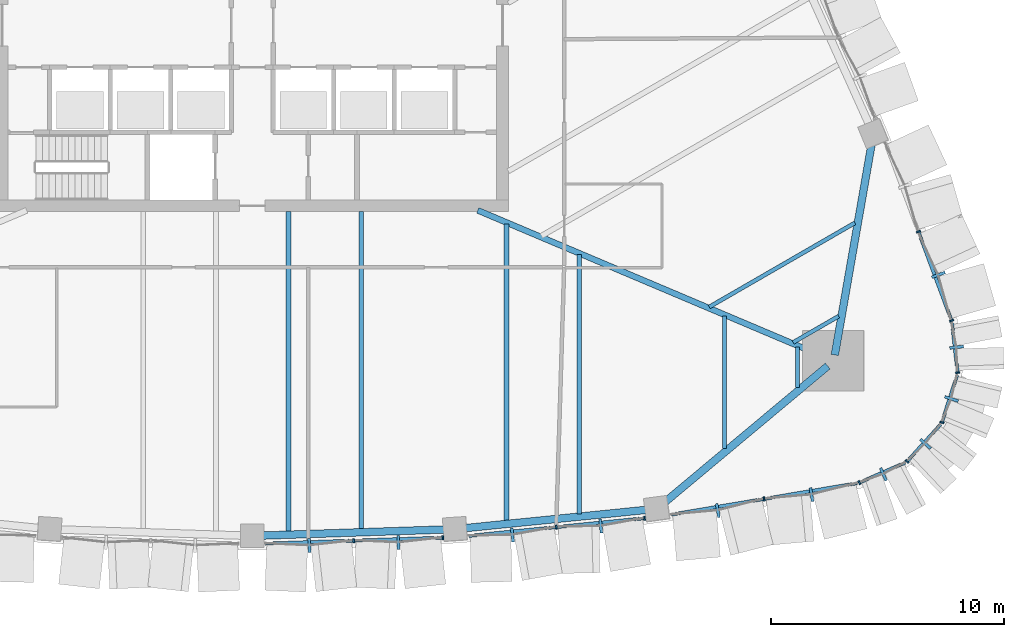
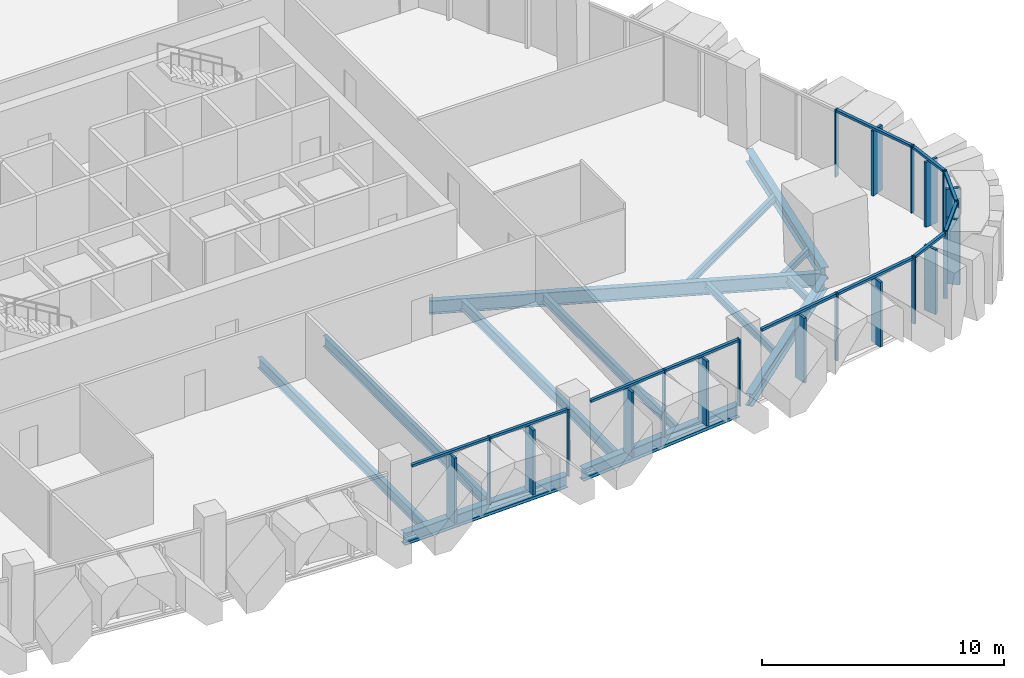
# One storey, part 4 of 18: 33 members, 13 beams, 8 elements without a shape of their own.
"""IFC4 building model written with IfcOpenShell, lengths in metres."""

import ifcopenshell
import ifcopenshell.guid

model = None  # the IFC model being written
_history = None  # IfcOwnerHistory: only IFC2X3 demands one
_inside = {}  # id of a spatial element -> (the spatial element, [elements in it])
_under = {}  # id of a project, library or spatial element -> (it, [spatial elements below it])
_declared = {}  # id of a project -> (the project, [libraries it declares])
_typed = {}  # id of a type object -> (the type object, [elements of that type])
_made_of = {}  # id of a material, layer set ... -> (it, [elements and type objects made of it])


def new_model(schema):
    """Start an empty IFC model of exactly this schema.

    Asked for "IFC4X3", IfcOpenShell would pick the latest addendum, in which some entities
    have other attributes; the version numbers below select the first issue.
    IFC2X3 requires an IfcOwnerHistory on every rooted entity: one is made here for all.
    """
    global model, _history
    if schema == "IFC4X3":
        model = ifcopenshell.file(schema_version=(4, 3, 0, 0))
    else:
        model = ifcopenshell.file(schema=schema)
    _inside.clear()
    _under.clear()
    _declared.clear()
    _typed.clear()
    _made_of.clear()
    _history = None
    if model.schema == "IFC2X3":
        org = make("IfcOrganization", Name="unknown")
        user = make(
            "IfcPersonAndOrganization",
            ThePerson=make("IfcPerson", FamilyName="unknown"),
            TheOrganization=org,
        )
        app = make(
            "IfcApplication",
            ApplicationDeveloper=org,
            Version="unknown",
            ApplicationFullName="unknown",
            ApplicationIdentifier="unknown",
        )
        _history = make(
            "IfcOwnerHistory",
            OwningUser=user,
            OwningApplication=app,
            ChangeAction="ADDED",
            CreationDate=0,
        )
    return model


def make(cls, **values):
    """One entity of the class cls with the attributes given. An attribute that is None is left unset."""
    return model.create_entity(
        cls, **{name: value for name, value in values.items() if value is not None}
    )


def rooted(cls, **values):
    """An entity with a GlobalId (a new one), such as an element, a storey or a relation."""
    return make(cls, GlobalId=ifcopenshell.guid.new(), OwnerHistory=_history, **values)


def si_unit(unit_type, name, prefix=None):
    """IfcSIUnit, for example si_unit("LENGTHUNIT", "METRE", prefix="MILLI")."""
    return make("IfcSIUnit", UnitType=unit_type, Prefix=prefix, Name=name)


def assignment(units):
    """IfcUnitAssignment: the units of a project."""
    return None if units is None else make("IfcUnitAssignment", Units=units)


def point(xyz):
    """IfcCartesianPoint."""
    return None if xyz is None else make("IfcCartesianPoint", Coordinates=xyz)


def direction(xyz):
    """IfcDirection."""
    return None if xyz is None else make("IfcDirection", DirectionRatios=xyz)


def frame(location, z_axis=None, x_axis=None):
    """IfcAxis2Placement3D, a coordinate frame: its origin and axes. An axis left out is left unset."""
    return make(
        "IfcAxis2Placement3D",
        Location=point(location),
        Axis=direction(z_axis),
        RefDirection=direction(x_axis),
    )


def frame_2d(location, x_axis=None):
    """IfcAxis2Placement2D, a coordinate frame in the plane: its origin and x axis."""
    return make(
        "IfcAxis2Placement2D", Location=point(location), RefDirection=direction(x_axis)
    )


def origin():
    """The frame at (0, 0, 0) with its axes left unset."""
    return frame((0.0, 0.0, 0.0))


def origin_2d():
    """The frame at (0, 0) in the plane with its x axis left unset."""
    return frame_2d((0.0, 0.0))


def place(relative_to, where):
    """IfcLocalPlacement: puts the frame where relative to a parent placement (None: the world)."""
    return make(
        "IfcLocalPlacement", PlacementRelTo=relative_to, RelativePlacement=where
    )


def context(
    kind, dimensions, precision=None, world=None, true_north=None, identifier=None
):
    """IfcGeometricRepresentationContext, for example the 3D "Model" context."""
    return make(
        "IfcGeometricRepresentationContext",
        ContextIdentifier=identifier,
        ContextType=kind,
        CoordinateSpaceDimension=dimensions,
        Precision=precision,
        WorldCoordinateSystem=world,
        TrueNorth=true_north,
    )


def subcontext(parent, identifier, kind, view, scale=None):
    """IfcGeometricRepresentationSubContext, for example "Body" below "Model"."""
    return make(
        "IfcGeometricRepresentationSubContext",
        ContextIdentifier=identifier,
        ContextType=kind,
        ParentContext=parent,
        TargetScale=scale,
        TargetView=view,
    )


def project(units=None, contexts=None):
    """IfcProject with its units and contexts."""
    return rooted(
        "IfcProject",
        Name="project",
        RepresentationContexts=contexts,
        UnitsInContext=assignment(units),
    )


def spatial(cls, under=None, at=None, **own):
    """A site, building, storey or space (cls), placed at a placement, below another one or the project."""
    s = rooted(cls, ObjectPlacement=at, **own)
    if under is not None:
        _under.setdefault(under.id(), (under, []))[1].append(s)
    return s


def profile(cls, at=None, kind="AREA", **sizes):
    """A parametric profile (cls). Its sizes go by their IFC names, for example OverallWidth=200.0."""
    return make(cls, ProfileType=kind, Position=at, **sizes)


def rectangle(**sizes):
    """IfcRectangleProfileDef."""
    return profile("IfcRectangleProfileDef", **sizes)


def i_section(**sizes):
    """IfcIShapeProfileDef."""
    return profile("IfcIShapeProfileDef", **sizes)


def extrude(swept, where, along, depth):
    """IfcExtrudedAreaSolid: the profile swept, set in the frame where, extruded along a direction by depth."""
    return make(
        "IfcExtrudedAreaSolid",
        SweptArea=swept,
        Position=where,
        ExtrudedDirection=direction(along),
        Depth=depth,
    )


def shape(context_of_items, identifier, shape_type, items):
    """IfcShapeRepresentation: the items that make up one representation, for example the "Body"."""
    return make(
        "IfcShapeRepresentation",
        ContextOfItems=context_of_items,
        RepresentationIdentifier=identifier,
        RepresentationType=shape_type,
        Items=items,
    )


def material(Name=None, Category=None):
    """IfcMaterial."""
    return make("IfcMaterial", Name=Name, Category=Category)


def layer(
    of_material, thickness, ventilated=None, Name=None, Category=None, Priority=None
):
    """IfcMaterialLayer: one layer of a wall or slab, of a material (None: an air gap)."""
    return make(
        "IfcMaterialLayer",
        Material=of_material,
        LayerThickness=thickness,
        IsVentilated=ventilated,
        Name=Name,
        Category=Category,
        Priority=Priority,
    )


def layer_set(layers, Name=None):
    """IfcMaterialLayerSet."""
    return make("IfcMaterialLayerSet", MaterialLayers=layers, LayerSetName=Name)


def material_profile(
    of_material, cross_section, Name=None, Category=None, Priority=None
):
    """IfcMaterialProfile: a cross section and its material."""
    return make(
        "IfcMaterialProfile",
        Name=Name,
        Material=of_material,
        Profile=cross_section,
        Priority=Priority,
        Category=Category,
    )


def profile_set(profiles, Name=None, composite=None):
    """IfcMaterialProfileSet."""
    return make(
        "IfcMaterialProfileSet",
        Name=Name,
        MaterialProfiles=profiles,
        CompositeProfile=composite,
    )


def made_of(thing, what):
    """Note that an element or type object is made of a material, layer set ...; save() writes the relation."""
    if what is not None:
        _made_of.setdefault(what.id(), (what, []))[1].append(thing)
    return thing


def type_object(cls, material=None, **own):
    """A type object (cls), such as IfcWallType, which elements share."""
    return made_of(rooted(cls, **own), material)


def element(
    cls,
    number,
    at=None,
    inside=None,
    cuts=None,
    type_object=None,
    material=None,
    context=None,
    identifier="Body",
    shape_type=None,
    held_by="IfcProductDefinitionShape",
    body=None,
    shapes=None,
    **own,
):
    """One element of the class cls, such as IfcWall. Its Tag is "e" and its number.

    at: its placement. inside: the storey or other place that contains it. cuts: it is an
    opening in that element (IfcRelVoidsElement). A single representation is given by context,
    identifier, shape_type and body (its items); several are given by shapes. held_by: the class
    of the entity that holds the representations. save() writes the other relations.
    """
    e = rooted(cls, Tag="e%d" % number, ObjectPlacement=at, **own)
    if body is not None:
        shapes = [shape(context, identifier, shape_type, body)]
    if shapes is not None:
        e.Representation = make(held_by, Representations=shapes)
    if inside is not None:
        _inside.setdefault(inside.id(), (inside, []))[1].append(e)
    if cuts is not None:
        rooted(
            "IfcRelVoidsElement", RelatingBuildingElement=cuts, RelatedOpeningElement=e
        )
    if type_object is not None:
        _typed.setdefault(type_object.id(), (type_object, []))[1].append(e)
    return made_of(e, material)


def aggregate(whole, parts):
    """IfcRelAggregates: a whole, such as a stair, and the parts it consists of."""
    return rooted("IfcRelAggregates", RelatingObject=whole, RelatedObjects=parts)


def save(model, path):
    """Write the relations noted so far, then the file.

    IfcRelAggregates (storeys below a building ...), IfcRelContainedInSpatialStructure (elements
    in a storey), IfcRelDefinesByType, IfcRelAssociatesMaterial and IfcRelDeclares: one each for
    every whole, place, type object, material and project.
    """
    for whole, parts in _under.values():
        aggregate(whole, parts)
    for where, things in _inside.values():
        rooted(
            "IfcRelContainedInSpatialStructure",
            RelatedElements=things,
            RelatingStructure=where,
        )
    for kind, things in _typed.values():
        rooted("IfcRelDefinesByType", RelatedObjects=things, RelatingType=kind)
    for what, things in _made_of.values():
        rooted("IfcRelAssociatesMaterial", RelatedObjects=things, RelatingMaterial=what)
    for by, libraries in _declared.values():
        rooted("IfcRelDeclares", RelatingContext=by, RelatedDefinitions=libraries)
    model.write(path)


model = new_model("IFC4")

# Units and contexts
model_context = context("Model", 3, precision=1e-05, world=origin(), true_north=direction((0.0, 1.0)))
body_context = subcontext(model_context, "Body", "Model", "MODEL_VIEW")
ifc_project = project(units=[si_unit("LENGTHUNIT", "METRE"), si_unit("AREAUNIT", "SQUARE_METRE"), si_unit("VOLUMEUNIT", "CUBIC_METRE"), si_unit("PLANEANGLEUNIT", "RADIAN"), si_unit("MASSUNIT", "GRAM", prefix="KILO")], contexts=[model_context])

# Site, building, storey
site_placement = place(None, origin())
site = spatial("IfcSite", under=ifc_project, at=site_placement, CompositionType="ELEMENT")
building_placement = place(site_placement, origin())
building = spatial("IfcBuilding", under=site, at=building_placement, Name="Sierra Prisma Convention Tower", CompositionType="ELEMENT")
storey_placement = place(building_placement, frame((0.0, 0.0, 129.800048828125)))
storey = spatial("IfcBuildingStorey", under=building, at=storey_placement, Name="L27", CompositionType="ELEMENT", Elevation=129.800048828125)

# Curtain wall, members
ifc_material_1 = material(Name="Aluminium and glass curtain wall", Category="aluminium")
ifc_layer = layer(ifc_material_1, 0.179931640625)
ifc_layer_set = layer_set([ifc_layer], Name="CW-2 Faceted crystal curtain wall")
curtain_wall_type = type_object("IfcCurtainWallType", Name="CW-2 Faceted crystal curtain wall", PredefinedType="NOTDEFINED", material=ifc_layer_set)
curtain_wall_1_placement = place(storey_placement, origin())
curtain_wall_1 = element("IfcCurtainWall", 1, at=curtain_wall_1_placement, inside=storey, type_object=curtain_wall_type, Name="CW-2 S4 L27", PredefinedType="NOTDEFINED")
ifc_material_2 = material(Name="Aluminium 6063-T6 bronze anodised", Category="aluminium")
ifc_material_profile_1 = material_profile(ifc_material_2, rectangle(XDim=0.1201171875, YDim=0.60009765625, at=origin_2d()), Name="ALU RIDGE BLADE 120x600")
ifc_profile_set_1 = profile_set([ifc_material_profile_1], Name="Aluminium 6063-T6 bronze anodised")
member_type_1 = type_object("IfcMemberType", Name="CW hip bronze", PredefinedType="MULLION", material=ifc_profile_set_1)
member_1_placement = place(storey_placement, frame((2.452880859375, -22.35595703125, 0.0), z_axis=(0.0, 0.0, 1.0), x_axis=(0.999440414047, 0.03344934632, 0.0)))
member_1 = element("IfcMember", 2, at=member_1_placement, type_object=member_type_1, Name="CW-2 ridge S4.1", PredefinedType="MULLION", context=body_context, shape_type="SweptSolid", body=[
    extrude(rectangle(XDim=0.1201171875, YDim=0.60009765625, at=origin_2d()), origin(), (0.0, 0.0, 1.0), 3.280029296875),
])
member_2_placement = place(storey_placement, frame((6.279541015625, -22.227783203125, 0.0), z_axis=(0.0, 0.0, 1.0), x_axis=(0.999440414047, 0.03344934632, 0.0)))
member_2 = element("IfcMember", 3, at=member_2_placement, type_object=member_type_1, Name="CW-2 ridge S4.2", PredefinedType="MULLION", context=body_context, shape_type="SweptSolid", body=[
    extrude(rectangle(XDim=0.1201171875, YDim=0.60009765625, at=origin_2d()), origin(), (0.0, 0.0, 1.0), 3.280029296875),
])

curtain_wall_2_placement = place(storey_placement, origin())
curtain_wall_2 = element("IfcCurtainWall", 4, at=curtain_wall_2_placement, inside=storey, type_object=curtain_wall_type, Name="CW-2 S5 L27", PredefinedType="NOTDEFINED")
member_3_placement = place(storey_placement, frame((11.17919921875, -21.899658203125, 0.0), z_axis=(0.0, 0.0, 1.0), x_axis=(0.994967483363, 0.100198338565, 0.0)))
member_3 = element("IfcMember", 5, at=member_3_placement, type_object=member_type_1, Name="CW-2 ridge S5.1", PredefinedType="MULLION", context=body_context, shape_type="SweptSolid", body=[
    extrude(rectangle(XDim=0.1201171875, YDim=0.60009765625, at=origin_2d()), origin(), (0.0, 0.0, 1.0), 3.280029296875),
])
member_4_placement = place(storey_placement, frame((14.97265625, -21.517578125, 0.0), z_axis=(0.0, 0.0, 1.0), x_axis=(0.994967483363, 0.100198338565, 0.0)))
member_4 = element("IfcMember", 6, at=member_4_placement, type_object=member_type_1, Name="CW-2 ridge S5.2", PredefinedType="MULLION", context=body_context, shape_type="SweptSolid", body=[
    extrude(rectangle(XDim=0.1201171875, YDim=0.60009765625, at=origin_2d()), origin(), (0.0, 0.0, 1.0), 3.280029296875),
])

curtain_wall_3_placement = place(storey_placement, origin())
curtain_wall_3 = element("IfcCurtainWall", 7, at=curtain_wall_3_placement, inside=storey, type_object=curtain_wall_type, Name="CW-2 S6 L27", PredefinedType="NOTDEFINED")
member_5_placement = place(storey_placement, frame((19.99951171875, -20.8486328125, 0.0), z_axis=(0.0, 0.0, 1.0), x_axis=(0.986041640305, 0.166498899652, 0.0)))
member_5 = element("IfcMember", 8, at=member_5_placement, type_object=member_type_1, Name="CW-2 ridge S6.1", PredefinedType="MULLION", context=body_context, shape_type="SweptSolid", body=[
    extrude(rectangle(XDim=0.1201171875, YDim=0.60009765625, at=origin_2d()), origin(), (0.0, 0.0, 1.0), 3.280029296875),
])
member_6_placement = place(storey_placement, frame((24.027587890625, -20.16845703125, 0.0), z_axis=(0.0, 0.0, 1.0), x_axis=(0.986041640305, 0.166498899652, 0.0)))
member_6 = element("IfcMember", 9, at=member_6_placement, type_object=member_type_1, Name="CW-2 ridge S6.2", PredefinedType="MULLION", context=body_context, shape_type="SweptSolid", body=[
    extrude(rectangle(XDim=0.1201171875, YDim=0.60009765625, at=origin_2d()), origin(), (0.0, 0.0, 1.0), 3.280029296875),
])

# Curtain wall, member
curtain_wall_4_placement = place(storey_placement, origin())
curtain_wall_4 = element("IfcCurtainWall", 10, at=curtain_wall_4_placement, inside=storey, type_object=curtain_wall_type, Name="CW-2 SE1 L27", PredefinedType="NOTDEFINED")
member_7_placement = place(storey_placement, frame((27.11279296875, -19.292236328125, 0.0), z_axis=(0.0, 0.0, 1.0), x_axis=(0.916181748048, 0.400763027915, 0.0)))
member_7 = element("IfcMember", 11, at=member_7_placement, type_object=member_type_1, Name="CW-2 ridge SE1.1", PredefinedType="MULLION", context=body_context, shape_type="SweptSolid", body=[
    extrude(rectangle(XDim=0.1201171875, YDim=0.60009765625, at=origin_2d()), origin(), (0.0, 0.0, 1.0), 3.280029296875),
])

curtain_wall_5_placement = place(storey_placement, origin())
curtain_wall_5 = element("IfcCurtainWall", 12, at=curtain_wall_5_placement, inside=storey, type_object=curtain_wall_type, Name="CW-2 SE2 L27", PredefinedType="NOTDEFINED")
member_8_placement = place(storey_placement, frame((28.92431640625, -17.988037109375, 0.0), z_axis=(0.0, 0.0, 1.0), x_axis=(0.670746472758, 0.741686705613, 0.0)))
member_8 = element("IfcMember", 13, at=member_8_placement, type_object=member_type_1, Name="CW-2 ridge SE2.1", PredefinedType="MULLION", context=body_context, shape_type="SweptSolid", body=[
    extrude(rectangle(XDim=0.1201171875, YDim=0.60009765625, at=origin_2d()), origin(), (0.0, 0.0, 1.0), 3.280029296875),
])

curtain_wall_6_placement = place(storey_placement, origin())
curtain_wall_6 = element("IfcCurtainWall", 14, at=curtain_wall_6_placement, inside=storey, type_object=curtain_wall_type, Name="CW-2 SE3 L27", PredefinedType="NOTDEFINED")
member_9_placement = place(storey_placement, frame((30.040283203125, -16.054931640625, 0.0), z_axis=(0.0, 0.0, 1.0), x_axis=(0.306946292331, 0.951726837714, 0.0)))
member_9 = element("IfcMember", 15, at=member_9_placement, type_object=member_type_1, Name="CW-2 ridge SE3.1", PredefinedType="MULLION", context=body_context, shape_type="SweptSolid", body=[
    extrude(rectangle(XDim=0.1201171875, YDim=0.60009765625, at=origin_2d()), origin(), (0.0, 0.0, 1.0), 3.280029296875),
])

curtain_wall_7_placement = place(storey_placement, origin())
curtain_wall_7 = element("IfcCurtainWall", 16, at=curtain_wall_7_placement, inside=storey, type_object=curtain_wall_type, Name="CW-2 SE4 L27", PredefinedType="NOTDEFINED")
member_10_placement = place(storey_placement, frame((30.263916015625, -13.834228515625, 0.0), z_axis=(0.0, 0.0, 1.0), x_axis=(-0.111019910952, 0.993818182251, 0.0)))
member_10 = element("IfcMember", 17, at=member_10_placement, type_object=member_type_1, Name="CW-2 ridge SE4.1", PredefinedType="MULLION", context=body_context, shape_type="SweptSolid", body=[
    extrude(rectangle(XDim=0.1201171875, YDim=0.60009765625, at=origin_2d()), origin(), (0.0, 0.0, 1.0), 3.280029296875),
])

curtain_wall_8_placement = place(storey_placement, origin())
curtain_wall_8 = element("IfcCurtainWall", 18, at=curtain_wall_8_placement, inside=storey, type_object=curtain_wall_type, Name="CW-2 NE1 L27", PredefinedType="NOTDEFINED")
member_11_placement = place(storey_placement, frame((29.480224609375, -10.724365234375, 0.0), z_axis=(0.0, 0.0, 1.0), x_axis=(-0.348828543352, 0.937186559519, 0.0)))
member_11 = element("IfcMember", 19, at=member_11_placement, type_object=member_type_1, Name="CW-2 ridge NE1.1", PredefinedType="MULLION", context=body_context, shape_type="SweptSolid", body=[
    extrude(rectangle(XDim=0.1201171875, YDim=0.60009765625, at=origin_2d()), origin(), (0.0, 0.0, 1.0), 3.280029296875),
])

# Member
ifc_material_3 = material(Name="Aluminium 6063-T6 bronze anodised", Category="aluminium")
ifc_material_profile_2 = material_profile(ifc_material_3, rectangle(XDim=0.179931640625, YDim=0.070068359375, at=origin_2d()), Name="ALU MULLION 70x180")
ifc_profile_set_2 = profile_set([ifc_material_profile_2], Name="Aluminium 6063-T6 bronze anodised")
member_type_2 = type_object("IfcMemberType", Name="CW mullion bronze", PredefinedType="MULLION", material=ifc_profile_set_2)
member_12_placement = place(storey_placement, frame((4.361328125, -22.14404296875, 0.0), z_axis=(0.0, 0.0, 1.0), x_axis=(-0.03344934632, 0.999440414047, 0.0)))
member_12 = element("IfcMember", 20, at=member_12_placement, type_object=member_type_2, Name="CW-1 mullion S4.2", PredefinedType="MULLION", context=body_context, shape_type="SweptSolid", body=[
    extrude(rectangle(XDim=0.179931640625, YDim=0.070068359375, at=origin_2d()), origin(), (0.0, 0.0, 1.0), 3.39990234375),
])

member_13_placement = place(storey_placement, frame((8.18798828125, -22.015869140625, 0.0), z_axis=(0.0, 0.0, 1.0), x_axis=(-0.03344934632, 0.999440414047, 0.0)))
member_13 = element("IfcMember", 21, at=member_13_placement, type_object=member_type_2, Name="CW-1 mullion S4.3", PredefinedType="MULLION", context=body_context, shape_type="SweptSolid", body=[
    extrude(rectangle(XDim=0.179931640625, YDim=0.070068359375, at=origin_2d()), origin(), (0.0, 0.0, 1.0), 3.39990234375),
])

member_14_placement = place(storey_placement, frame((13.061279296875, -21.56201171875, 0.0), z_axis=(0.0, 0.0, 1.0), x_axis=(-0.100198338565, 0.994967483363, 0.0)))
member_14 = element("IfcMember", 22, at=member_14_placement, type_object=member_type_2, Name="CW-1 mullion S5.2", PredefinedType="MULLION", context=body_context, shape_type="SweptSolid", body=[
    extrude(rectangle(XDim=0.179931640625, YDim=0.070068359375, at=origin_2d()), origin(), (0.0, 0.0, 1.0), 3.39990234375),
])

member_15_placement = place(storey_placement, frame((16.854736328125, -21.179931640625, 0.0), z_axis=(0.0, 0.0, 1.0), x_axis=(-0.100198338565, 0.994967483363, 0.0)))
member_15 = element("IfcMember", 23, at=member_15_placement, type_object=member_type_2, Name="CW-1 mullion S5.3", PredefinedType="MULLION", context=body_context, shape_type="SweptSolid", body=[
    extrude(rectangle(XDim=0.179931640625, YDim=0.070068359375, at=origin_2d()), origin(), (0.0, 0.0, 1.0), 3.39990234375),
])

member_16_placement = place(storey_placement, frame((21.9873046875, -20.3525390625, 0.0), z_axis=(0.0, 0.0, 1.0), x_axis=(-0.166498899652, 0.986041640305, 0.0)))
member_16 = element("IfcMember", 24, at=member_16_placement, type_object=member_type_2, Name="CW-1 mullion S6.2", PredefinedType="MULLION", context=body_context, shape_type="SweptSolid", body=[
    extrude(rectangle(XDim=0.179931640625, YDim=0.070068359375, at=origin_2d()), origin(), (0.0, 0.0, 1.0), 3.39990234375),
])

member_17_placement = place(storey_placement, frame((26.08203125, -19.652587890625, 0.0), z_axis=(0.0, 0.0, 1.0), x_axis=(-0.400763027915, 0.916181748048, 0.0)))
member_17 = element("IfcMember", 25, at=member_17_placement, type_object=member_type_2, Name="CW-1 mullion SE1.1", PredefinedType="MULLION", context=body_context, shape_type="SweptSolid", body=[
    extrude(rectangle(XDim=0.179931640625, YDim=0.070068359375, at=origin_2d()), origin(), (0.0, 0.0, 1.0), 3.39990234375),
])

member_18_placement = place(storey_placement, frame((28.132568359375, -18.739990234375, 0.0), z_axis=(0.0, 0.0, 1.0), x_axis=(-0.741686705613, 0.670746472758, 0.0)))
member_18 = element("IfcMember", 26, at=member_18_placement, type_object=member_type_2, Name="CW-1 mullion SE2.1", PredefinedType="MULLION", context=body_context, shape_type="SweptSolid", body=[
    extrude(rectangle(XDim=0.179931640625, YDim=0.070068359375, at=origin_2d()), origin(), (0.0, 0.0, 1.0), 3.39990234375),
])

member_19_placement = place(storey_placement, frame((29.627197265625, -17.065673828125, 0.0), z_axis=(0.0, 0.0, 1.0), x_axis=(-0.951726837714, 0.306946292331, 0.0)))
member_19 = element("IfcMember", 27, at=member_19_placement, type_object=member_type_2, Name="CW-1 mullion SE3.1", PredefinedType="MULLION", context=body_context, shape_type="SweptSolid", body=[
    extrude(rectangle(XDim=0.179931640625, YDim=0.070068359375, at=origin_2d()), origin(), (0.0, 0.0, 1.0), 3.39990234375),
])

member_20_placement = place(storey_placement, frame((30.302490234375, -14.92529296875, 0.0), z_axis=(0.0, 0.0, 1.0), x_axis=(-0.993818182251, -0.111019910952, 0.0)))
member_20 = element("IfcMember", 28, at=member_20_placement, type_object=member_type_2, Name="CW-1 mullion SE4.1", PredefinedType="MULLION", context=body_context, shape_type="SweptSolid", body=[
    extrude(rectangle(XDim=0.179931640625, YDim=0.070068359375, at=origin_2d()), origin(), (0.0, 0.0, 1.0), 3.39990234375),
])

member_21_placement = place(storey_placement, frame((30.044677734375, -12.69384765625, 0.0), z_axis=(0.0, 0.0, 1.0), x_axis=(-0.937186559519, -0.348828543352, 0.0)))
member_21 = element("IfcMember", 29, at=member_21_placement, type_object=member_type_2, Name="CW-1 mullion NE1.1", PredefinedType="MULLION", context=body_context, shape_type="SweptSolid", body=[
    extrude(rectangle(XDim=0.179931640625, YDim=0.070068359375, at=origin_2d()), origin(), (0.0, 0.0, 1.0), 3.39990234375),
])

member_22_placement = place(storey_placement, frame((28.61962890625, -8.865234375, 0.0), z_axis=(0.0, 0.0, 1.0), x_axis=(-0.937186559519, -0.348828543352, 0.0)))
member_22 = element("IfcMember", 30, at=member_22_placement, type_object=member_type_2, Name="CW-1 mullion NE1.2", PredefinedType="MULLION", context=body_context, shape_type="SweptSolid", body=[
    extrude(rectangle(XDim=0.179931640625, YDim=0.070068359375, at=origin_2d()), origin(), (0.0, 0.0, 1.0), 3.39990234375),
])

ifc_material_4 = material(Name="Aluminium 6063-T6 bronze anodised", Category="aluminium")
ifc_material_profile_3 = material_profile(ifc_material_4, rectangle(XDim=0.139892578125, YDim=0.1201171875, at=origin_2d()), Name="ALU TRANSOM 120x140")
ifc_profile_set_3 = profile_set([ifc_material_profile_3], Name="Aluminium 6063-T6 bronze anodised")
member_type_3 = type_object("IfcMemberType", Name="CW transom bronze", PredefinedType="USERDEFINED", material=ifc_profile_set_3)
member_23_placement = place(storey_placement, frame((0.569580078125, -22.27099609375, 3.33984375), z_axis=(0.999440428664, 0.033448909589, 0.0), x_axis=(-0.033448909589, 0.999440428664, 0.0)))
member_23 = element("IfcMember", 31, at=member_23_placement, type_object=member_type_3, Name="CW-1 transom S4.1", ObjectType="TRANSOM", PredefinedType="USERDEFINED", context=body_context, shape_type="SweptSolid", body=[
    extrude(rectangle(XDim=0.139892578125, YDim=0.1201171875, at=origin_2d()), origin(), (0.0, 0.0, 1.0), 3.759033203125),
])

member_24_placement = place(storey_placement, frame((4.396240234375, -22.142822265625, 3.33984375), z_axis=(0.999440428664, 0.033448909589, 0.0), x_axis=(-0.033448909589, 0.999440428664, 0.0)))
member_24 = element("IfcMember", 32, at=member_24_placement, type_object=member_type_3, Name="CW-1 transom S4.2", ObjectType="TRANSOM", PredefinedType="USERDEFINED", context=body_context, shape_type="SweptSolid", body=[
    extrude(rectangle(XDim=0.139892578125, YDim=0.1201171875, at=origin_2d()), origin(), (0.0, 0.0, 1.0), 3.759033203125),
])

aggregate(curtain_wall_1, [member_12, member_13, member_23, member_1, member_24, member_2])

member_25_placement = place(storey_placement, frame((9.302490234375, -21.9404296875, 3.33984375), z_axis=(0.994967844169, 0.100194755697, 0.0), x_axis=(-0.100194755697, 0.994967844169, 0.0)))
member_25 = element("IfcMember", 33, at=member_25_placement, type_object=member_type_3, Name="CW-1 transom S5.1", ObjectType="TRANSOM", PredefinedType="USERDEFINED", context=body_context, shape_type="SweptSolid", body=[
    extrude(rectangle(XDim=0.139892578125, YDim=0.1201171875, at=origin_2d()), origin(), (0.0, 0.0, 1.0), 3.74267578125),
])

member_26_placement = place(storey_placement, frame((13.095947265625, -21.55859375, 3.33984375), z_axis=(0.994967844169, 0.100194755697, 0.0), x_axis=(-0.100194755697, 0.994967844169, 0.0)))
member_26 = element("IfcMember", 34, at=member_26_placement, type_object=member_type_3, Name="CW-1 transom S5.2", ObjectType="TRANSOM", PredefinedType="USERDEFINED", context=body_context, shape_type="SweptSolid", body=[
    extrude(rectangle(XDim=0.139892578125, YDim=0.1201171875, at=origin_2d()), origin(), (0.0, 0.0, 1.0), 3.74267578125),
])

aggregate(curtain_wall_2, [member_14, member_15, member_25, member_3, member_26, member_4])

member_27_placement = place(storey_placement, frame((17.99365234375, -21.027099609375, 3.33984375), z_axis=(0.986035004571, 0.166538193101, 0.0), x_axis=(-0.166538193101, 0.986035004571, 0.0)))
member_27 = element("IfcMember", 35, at=member_27_placement, type_object=member_type_3, Name="CW-1 transom S6.1", ObjectType="TRANSOM", PredefinedType="USERDEFINED", context=body_context, shape_type="SweptSolid", body=[
    extrude(rectangle(XDim=0.139892578125, YDim=0.1201171875, at=origin_2d()), origin(), (0.0, 0.0, 1.0), 4.015380859375),
])

member_28_placement = place(storey_placement, frame((22.021728515625, -20.346923828125, 3.33984375), z_axis=(0.986035004571, 0.166538193101, 0.0), x_axis=(-0.166538193101, 0.986035004571, 0.0)))
member_28 = element("IfcMember", 36, at=member_28_placement, type_object=member_type_3, Name="CW-1 transom S6.2", ObjectType="TRANSOM", PredefinedType="USERDEFINED", context=body_context, shape_type="SweptSolid", body=[
    extrude(rectangle(XDim=0.139892578125, YDim=0.1201171875, at=origin_2d()), origin(), (0.0, 0.0, 1.0), 4.015380859375),
])

aggregate(curtain_wall_3, [member_16, member_27, member_5, member_28, member_6])

member_29_placement = place(storey_placement, frame((26.114013671875, -19.638671875, 3.33984375), z_axis=(0.916165310474, 0.400800603647, 0.0), x_axis=(-0.400800603647, 0.916165310474, 0.0)))
member_29 = element("IfcMember", 37, at=member_29_placement, type_object=member_type_3, Name="CW-1 transom SE1.1", ObjectType="TRANSOM", PredefinedType="USERDEFINED", context=body_context, shape_type="SweptSolid", body=[
    extrude(rectangle(XDim=0.139892578125, YDim=0.1201171875, at=origin_2d()), origin(), (0.0, 0.0, 1.0), 2.107666015625),
])

aggregate(curtain_wall_4, [member_17, member_29, member_7])

member_30_placement = place(storey_placement, frame((28.156005859375, -18.714111328125, 3.33984375), z_axis=(0.670710074306, 0.741719621033, 0.0), x_axis=(-0.741719621033, 0.670710074306, 0.0)))
member_30 = element("IfcMember", 38, at=member_30_placement, type_object=member_type_3, Name="CW-1 transom SE2.1", ObjectType="TRANSOM", PredefinedType="USERDEFINED", context=body_context, shape_type="SweptSolid", body=[
    extrude(rectangle(XDim=0.139892578125, YDim=0.1201171875, at=origin_2d()), origin(), (0.0, 0.0, 1.0), 2.107666015625),
])

aggregate(curtain_wall_5, [member_18, member_30, member_8])

member_31_placement = place(storey_placement, frame((29.637939453125, -17.032470703125, 3.33984375), z_axis=(0.307002779923, 0.951708617761, 0.0), x_axis=(-0.951708617761, 0.307002779923, 0.0)))
member_31 = element("IfcMember", 39, at=member_31_placement, type_object=member_type_3, Name="CW-1 transom SE3.1", ObjectType="TRANSOM", PredefinedType="USERDEFINED", context=body_context, shape_type="SweptSolid", body=[
    extrude(rectangle(XDim=0.139892578125, YDim=0.1201171875, at=origin_2d()), origin(), (0.0, 0.0, 1.0), 2.107421875),
])

aggregate(curtain_wall_6, [member_19, member_31, member_9])

member_32_placement = place(storey_placement, frame((30.298583984375, -14.890625, 3.33984375), z_axis=(-0.111092649687, 0.993810053876, 0.0), x_axis=(-0.993810053876, -0.111092649687, 0.0)))
member_32 = element("IfcMember", 40, at=member_32_placement, type_object=member_type_3, Name="CW-1 transom SE4.1", ObjectType="TRANSOM", PredefinedType="USERDEFINED", context=body_context, shape_type="SweptSolid", body=[
    extrude(rectangle(XDim=0.139892578125, YDim=0.1201171875, at=origin_2d()), origin(), (0.0, 0.0, 1.0), 2.107421875),
])

aggregate(curtain_wall_7, [member_20, member_32, member_10])

member_33_placement = place(storey_placement, frame((30.032470703125, -12.660888671875, 3.33984375), z_axis=(-0.348836803557, 0.937183484961, 0.0), x_axis=(-0.937183484961, -0.348836803557, 0.0)))
member_33 = element("IfcMember", 41, at=member_33_placement, type_object=member_type_3, Name="CW-1 transom NE1.1", ObjectType="TRANSOM", PredefinedType="USERDEFINED", context=body_context, shape_type="SweptSolid", body=[
    extrude(rectangle(XDim=0.139892578125, YDim=0.1201171875, at=origin_2d()), origin(), (0.0, 0.0, 1.0), 4.01513671875),
])

aggregate(curtain_wall_8, [member_21, member_22, member_33, member_11])

# Beams
ifc_material_5 = material(Name="Steel ASTM A992 Gr 50", Category="steel")
ifc_material_profile_4 = material_profile(ifc_material_5, i_section(OverallWidth=0.172119140625, OverallDepth=0.35791015625, WebThickness=0.0078125, FlangeThickness=0.01318359375, at=origin_2d()), Name="W360x57")
ifc_profile_set_4 = profile_set([ifc_material_profile_4], Name="Steel ASTM A992 Gr 50")
beam_type_1 = type_object("IfcBeamType", Name="Floor joist W360x57", PredefinedType="JOIST", material=ifc_profile_set_4)
beam_1_placement = place(storey_placement, frame((20.298828125, -18.177734375, -0.3291015625), z_axis=(0.0, 1.0, 0.0), x_axis=(-1.0, 0.0, 0.0)))
element("IfcBeam", 42, at=beam_1_placement, inside=storey, type_object=beam_type_1, Name="Floor joist L27 S15", PredefinedType="JOIST", context=body_context, shape_type="SweptSolid", body=[
    extrude(i_section(OverallWidth=0.172119140625, OverallDepth=0.35791015625, WebThickness=0.0078125, FlangeThickness=0.01318359375, at=origin_2d()), origin(), (0.0, 0.0, 1.0), 5.680419921875),
])
beam_2_placement = place(storey_placement, frame((23.421875, -15.5673828125, -0.3291015625), z_axis=(0.0, 1.0, 0.0), x_axis=(-1.0, 0.0, 0.0)))
element("IfcBeam", 43, at=beam_2_placement, inside=storey, type_object=beam_type_1, Name="Floor joist L27 S16", PredefinedType="JOIST", context=body_context, shape_type="SweptSolid", body=[
    extrude(i_section(OverallWidth=0.172119140625, OverallDepth=0.35791015625, WebThickness=0.0078125, FlangeThickness=0.01318359375, at=origin_2d()), origin(), (0.0, 0.0, 1.0), 1.748779296875),
])
beam_3_placement = place(storey_placement, frame((25.192626953125, -12.500244140625, -0.3291015625), z_axis=(-0.866066817379, -0.499928262689, 0.0), x_axis=(0.499928262689, -0.866066817379, 0.0)))
element("IfcBeam", 44, at=beam_3_placement, inside=storey, type_object=beam_type_1, Name="Floor joist L27 NE01", PredefinedType="JOIST", context=body_context, shape_type="SweptSolid", body=[
    extrude(i_section(OverallWidth=0.172119140625, OverallDepth=0.35791015625, WebThickness=0.0078125, FlangeThickness=0.01318359375, at=origin_2d()), origin(), (0.0, 0.0, 1.0), 2.259033203125),
])
beam_4_placement = place(storey_placement, frame((25.891845703125, -8.490478515625, -0.3291015625), z_axis=(-0.866023038219, -0.500004097258, 0.0), x_axis=(0.500004097258, -0.866023038219, 0.0)))
element("IfcBeam", 45, at=beam_4_placement, inside=storey, type_object=beam_type_1, Name="Floor joist L27 NE02", PredefinedType="JOIST", context=body_context, shape_type="SweptSolid", body=[
    extrude(i_section(OverallWidth=0.172119140625, OverallDepth=0.35791015625, WebThickness=0.0078125, FlangeThickness=0.01318359375, at=origin_2d()), origin(), (0.0, 0.0, 1.0), 7.228515625),
])
ifc_material_6 = material(Name="Steel ASTM A992 Gr 50", Category="steel")
ifc_material_profile_5 = material_profile(ifc_material_6, i_section(OverallWidth=0.18994140625, OverallDepth=0.45703125, WebThickness=0.009033203125, FlangeThickness=0.014404296875, at=origin_2d()), Name="W460x74")
ifc_profile_set_5 = profile_set([ifc_material_profile_5], Name="Steel ASTM A992 Gr 50")
beam_type_2 = type_object("IfcBeamType", Name="Floor joist W460x74", PredefinedType="JOIST", material=ifc_profile_set_5)
beam_5_placement = place(storey_placement, frame((14.052978515625, -20.997314453125, -0.378662109375), z_axis=(0.0, 1.0, 0.0), x_axis=(-1.0, 0.0, 0.0)))
element("IfcBeam", 46, at=beam_5_placement, inside=storey, type_object=beam_type_2, Name="Floor joist L27 S13", PredefinedType="JOIST", context=body_context, shape_type="SweptSolid", body=[
    extrude(i_section(OverallWidth=0.18994140625, OverallDepth=0.45703125, WebThickness=0.009033203125, FlangeThickness=0.014404296875, at=origin_2d()), origin(), (0.0, 0.0, 1.0), 11.142578125),
])
ifc_material_7 = material(Name="Steel ASTM A992 Gr 50", Category="steel")
ifc_material_profile_6 = material_profile(ifc_material_7, i_section(OverallWidth=0.208984375, OverallDepth=0.532958984375, WebThickness=0.01025390625, FlangeThickness=0.015625, at=origin_2d()), Name="W530x92")
ifc_profile_set_6 = profile_set([ifc_material_profile_6], Name="Steel ASTM A992 Gr 50")
beam_type_3 = type_object("IfcBeamType", Name="Floor joist W530x92", PredefinedType="JOIST", material=ifc_profile_set_6)
beam_6_placement = place(storey_placement, frame((1.5615234375, -21.775146484375, -0.41650390625), z_axis=(0.0, 1.0, 0.0), x_axis=(-1.0, 0.0, 0.0)))
element("IfcBeam", 47, at=beam_6_placement, inside=storey, type_object=beam_type_3, Name="Floor joist L27 S09", PredefinedType="JOIST", context=body_context, shape_type="SweptSolid", body=[
    extrude(i_section(OverallWidth=0.208984375, OverallDepth=0.532958984375, WebThickness=0.01025390625, FlangeThickness=0.015625, at=origin_2d()), origin(), (0.0, 0.0, 1.0), 13.775146484375),
])
beam_7_placement = place(storey_placement, frame((4.684326171875, -21.670654296875, -0.41650390625), z_axis=(0.0, 1.0, 0.0), x_axis=(-1.0, 0.0, 0.0)))
element("IfcBeam", 48, at=beam_7_placement, inside=storey, type_object=beam_type_3, Name="Floor joist L27 S10", PredefinedType="JOIST", context=body_context, shape_type="SweptSolid", body=[
    extrude(i_section(OverallWidth=0.208984375, OverallDepth=0.532958984375, WebThickness=0.01025390625, FlangeThickness=0.015625, at=origin_2d()), origin(), (0.0, 0.0, 1.0), 13.670654296875),
])
beam_8_placement = place(storey_placement, frame((10.93017578125, -21.311767578125, -0.41650390625), z_axis=(0.0, 1.0, 0.0), x_axis=(-1.0, 0.0, 0.0)))
element("IfcBeam", 49, at=beam_8_placement, inside=storey, type_object=beam_type_3, Name="Floor joist L27 S12", PredefinedType="JOIST", context=body_context, shape_type="SweptSolid", body=[
    extrude(i_section(OverallWidth=0.208984375, OverallDepth=0.532958984375, WebThickness=0.01025390625, FlangeThickness=0.015625, at=origin_2d()), origin(), (0.0, 0.0, 1.0), 12.7783203125),
])
ifc_material_8 = material(Name="Steel ASTM A992 Gr 50", Category="steel")
ifc_material_profile_7 = material_profile(ifc_material_8, i_section(OverallWidth=0.25390625, OverallDepth=0.68408203125, WebThickness=0.012451171875, FlangeThickness=0.018798828125, at=origin_2d()), Name="W690x140")
ifc_profile_set_7 = profile_set([ifc_material_profile_7], Name="Steel ASTM A992 Gr 50")
beam_type_4 = type_object("IfcBeamType", Name="Radial girder W690x140", PredefinedType="BEAM", material=ifc_profile_set_7)
beam_9_placement = place(storey_placement, frame((24.72314453125, -14.31396484375, -0.491943359375), z_axis=(-0.920957755547, 0.389662434035, 0.0), x_axis=(-0.389662434035, -0.920957755547, 0.0)))
element("IfcBeam", 50, at=beam_9_placement, inside=storey, type_object=beam_type_4, Name="Radial girder L27 SE", PredefinedType="BEAM", context=body_context, shape_type="SweptSolid", body=[
    extrude(i_section(OverallWidth=0.25390625, OverallDepth=0.68408203125, WebThickness=0.012451171875, FlangeThickness=0.018798828125, at=origin_2d()), origin(), (0.0, 0.0, 1.0), 16.323974609375),
])
ifc_material_9 = material(Name="Steel ASTM A992 Gr 50", Category="steel")
ifc_material_profile_8 = material_profile(ifc_material_9, i_section(OverallWidth=0.324951171875, OverallDepth=0.615966796875, WebThickness=0.013916015625, FlangeThickness=0.021484375, at=origin_2d()), Name="W610x174")
ifc_profile_set_8 = profile_set([ifc_material_profile_8], Name="Steel ASTM A992 Gr 50")
beam_type_5 = type_object("IfcBeamType", Name="Spandrel beam W610x174", PredefinedType="BEAM", material=ifc_profile_set_8)
for number, where, z_axis, x_axis, name in (
    (51, (0.380126953125, -21.92724609375, -0.4580078125), (0.99944050499, 0.033446628916, 0.0), (-0.033446628916, 0.99944050499, 0.0), "Spandrel L27-04"),
    (52, (9.09033203125, -21.6103515625, -0.4580078125), (0.99496553796, 0.100217654494, 0.0), (-0.100217654494, 0.99496553796, 0.0), "Spandrel L27-05"),
):
    element("IfcBeam", number, at=place(storey_placement, frame(where, z_axis=z_axis, x_axis=x_axis)), inside=storey, type_object=beam_type_5, Name=name, PredefinedType="BEAM", context=body_context, shape_type="SweptSolid", body=[
        extrude(i_section(OverallWidth=0.324951171875, OverallDepth=0.615966796875, WebThickness=0.013916015625, FlangeThickness=0.021484375, at=origin_2d()), origin(), (0.0, 0.0, 1.0), 7.956298828125),
    ])
beam_10_placement = place(storey_placement, frame((17.746337890625, -20.472900390625, -0.4580078125), z_axis=(0.767271908482, 0.641321930433, 0.0), x_axis=(-0.641321930433, 0.767271908482, 0.0)))
element("IfcBeam", 53, at=beam_10_placement, inside=storey, type_object=beam_type_5, Name="Spandrel L27-06", PredefinedType="BEAM", context=body_context, shape_type="SweptSolid", body=[
    extrude(i_section(OverallWidth=0.324951171875, OverallDepth=0.615966796875, WebThickness=0.013916015625, FlangeThickness=0.021484375, at=origin_2d()), origin(), (0.0, 0.0, 1.0), 9.093017578125),
])
beam_11_placement = place(storey_placement, frame((25.028564453125, -14.1640625, -0.4580078125), z_axis=(0.171761468426, 0.9851385679, 0.0), x_axis=(-0.9851385679, 0.171761468426, 0.0)))
element("IfcBeam", 54, at=beam_11_placement, inside=storey, type_object=beam_type_5, Name="Spandrel L27-07", PredefinedType="BEAM", context=body_context, shape_type="SweptSolid", body=[
    extrude(i_section(OverallWidth=0.324951171875, OverallDepth=0.615966796875, WebThickness=0.013916015625, FlangeThickness=0.021484375, at=origin_2d()), origin(), (0.0, 0.0, 1.0), 9.16796875),
])

save(model, "model.ifc")
